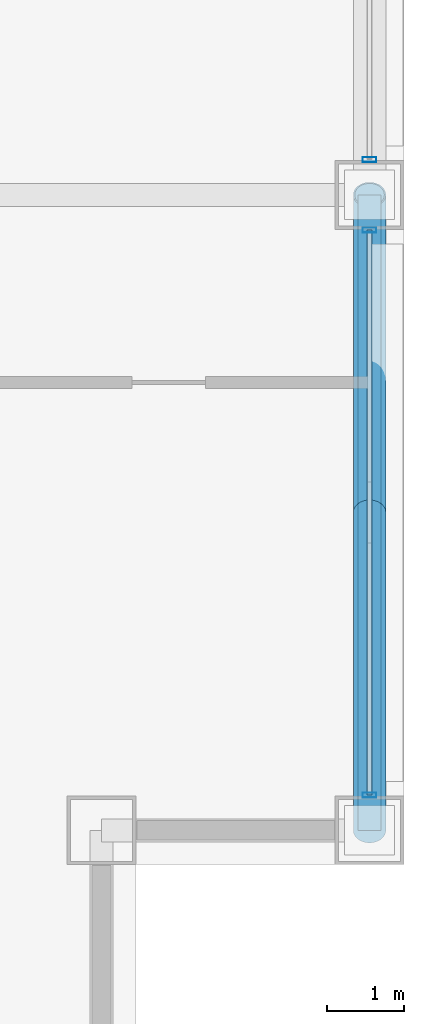
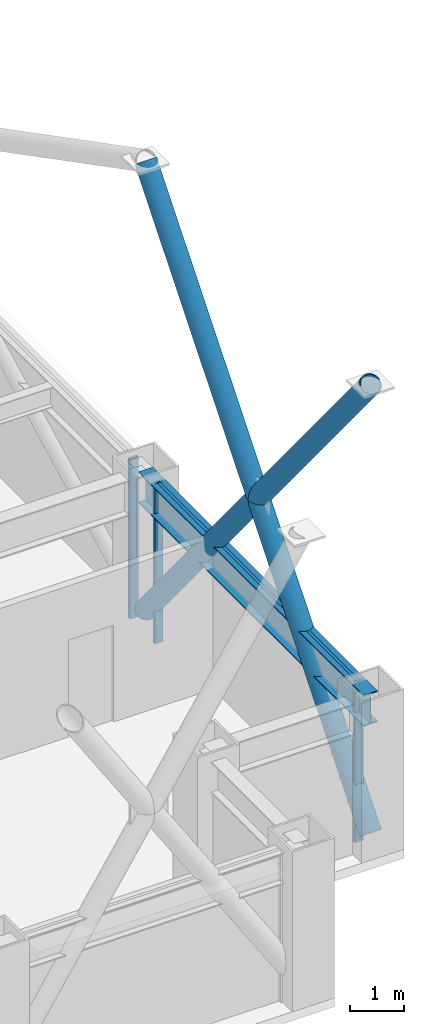
# One storey, part 12 of 29: 7 members, 1 beam, 2 elements without a shape of their own.
"""IFC4 building model written with IfcOpenShell, lengths in metres."""

from ifc_helpers import new_model, si_unit, direction, frame, origin, origin_2d, place, context, subcontext, project, spatial, hollow_rectangle, hollow_circle, i_section, extrude, material, layer, layer_set, material_profile, profile_set, type_object, element, aggregate, save


model = new_model("IFC4")

# Units and contexts
model_context = context("Model", 3, precision=1e-05, world=origin(), true_north=direction((0.0, 1.0)))
body_context = subcontext(model_context, "Body", "Model", "MODEL_VIEW")
ifc_project = project(units=[si_unit("LENGTHUNIT", "METRE"), si_unit("AREAUNIT", "SQUARE_METRE"), si_unit("VOLUMEUNIT", "CUBIC_METRE"), si_unit("PLANEANGLEUNIT", "RADIAN"), si_unit("MASSUNIT", "GRAM", prefix="KILO")], contexts=[model_context])

# Site, building, storey
site_placement = place(None, origin())
site = spatial("IfcSite", under=ifc_project, at=site_placement, CompositionType="ELEMENT")
building_placement = place(site_placement, origin())
building = spatial("IfcBuilding", under=site, at=building_placement, Name="Brelmoor Portico Tower", CompositionType="ELEMENT")
storey_placement = place(building_placement, frame((0.0, 0.0, 67.199951171875)))
storey = spatial("IfcBuildingStorey", under=building, at=storey_placement, Name="L17", CompositionType="ELEMENT", Elevation=67.199951171875)

# Beam
ifc_material_1 = material(Name="Steel Q355B", Category="steel")
ifc_material_profile_1 = material_profile(ifc_material_1, i_section(OverallWidth=0.300048828125, OverallDepth=0.699951171875, WebThickness=0.012939453125, FlangeThickness=0.02392578125, at=origin_2d()), Name="HN 700x300x13x24")
ifc_profile_set_1 = profile_set([ifc_material_profile_1], Name="Steel Q355B")
beam_type = type_object("IfcBeamType", Name="BM-SP-700", PredefinedType="SPANDREL", material=ifc_profile_set_1)
beam_placement = place(storey_placement, frame((24.550048828125, -18.050048828125, 3.050048828125), z_axis=(0.0, 1.0, 0.0), x_axis=(-1.0, 0.0, 0.0)))
element("IfcBeam", 1, at=beam_placement, inside=storey, type_object=beam_type, Name="L17 Perimeter Spandrel Beam SP-22", PredefinedType="SPANDREL", context=body_context, shape_type="SweptSolid", body=[
    extrude(i_section(OverallWidth=0.300048828125, OverallDepth=0.699951171875, WebThickness=0.012939453125, FlangeThickness=0.02392578125, at=origin_2d()), origin(), (0.0, 0.0, 1.0), 8.300048828125),
])

# Members
ifc_material_profile_2 = material_profile(ifc_material_1, hollow_circle(Radius=0.212890625, WallThickness=0.02001953125, at=origin_2d()), Name="CHS 426x20")
ifc_profile_set_2 = profile_set([ifc_material_profile_2], Name="Steel Q355B")
member_type_1 = type_object("IfcMemberType", Name="MB-BELT-DIAG1", PredefinedType="BRACE", material=ifc_profile_set_2)
member_1_placement = place(storey_placement, frame((24.550048828125, -18.050048828125, 0.25), z_axis=(0.0, 0.634901100083, 0.772593420315), x_axis=(-1.0, 0.0, 0.0)))
element("IfcMember", 2, at=member_1_placement, inside=storey, type_object=member_type_1, Name="L17 Continuous Mega-X Brace 040A", PredefinedType="BRACE", context=body_context, shape_type="SweptSolid", body=[
    extrude(hollow_circle(Radius=0.212890625, WallThickness=0.02001953125, at=origin_2d()), origin(), (0.0, 0.0, 1.0), 13.072998046875),
])
member_2_placement = place(storey_placement, frame((24.550048828125, -9.75, 0.25), z_axis=(0.0, -0.634889952641, 0.772602580914), x_axis=(1.0, 0.0, 0.0)))
element("IfcMember", 3, at=member_2_placement, inside=storey, type_object=member_type_1, Name="L17 Split Mega-X Brace 040B1", PredefinedType="BRACE", context=body_context, shape_type="SweptSolid", body=[
    extrude(hollow_circle(Radius=0.212890625, WallThickness=0.02001953125, at=origin_2d()), origin(), (0.0, 0.0, 1.0), 6.536376953125),
])
member_3_placement = place(storey_placement, frame((24.550048828125, -13.89990234375, 5.300048828125), z_axis=(0.0, -0.634912247128, 0.772584259771), x_axis=(1.0, 0.0, 0.0)))
element("IfcMember", 4, at=member_3_placement, inside=storey, type_object=member_type_1, Name="L17 Split Mega-X Brace 040B2", PredefinedType="BRACE", context=body_context, shape_type="SweptSolid", body=[
    extrude(hollow_circle(Radius=0.212890625, WallThickness=0.02001953125, at=origin_2d()), origin(), (0.0, 0.0, 1.0), 6.53662109375),
])

# Curtain wall, members
ifc_material_2 = material(Name="Anodised Aluminium Alloy 6063-T6", Category="aluminium")
ifc_layer = layer(ifc_material_2, 0.179931640625)
ifc_layer_set = layer_set([ifc_layer], Name="Anodised Aluminium Alloy 6063-T6")
curtain_wall_type = type_object("IfcCurtainWallType", Name="CW-TOWER-Z1-XB", PredefinedType="NOTDEFINED", material=ifc_layer_set)
curtain_wall_1_placement = place(storey_placement, origin())
curtain_wall_1 = element("IfcCurtainWall", 5, at=curtain_wall_1_placement, inside=storey, type_object=curtain_wall_type, Name="L17 Curtain Wall CW-L17-04-1", PredefinedType="NOTDEFINED")
ifc_material_profile_3 = material_profile(ifc_material_2, hollow_rectangle(XDim=0.06494140625, YDim=0.179931640625, WallThickness=0.00390625, at=origin_2d()), Name="ALU MULLION 65x180")
ifc_profile_set_3 = profile_set([ifc_material_profile_3], Name="Anodised Aluminium Alloy 6063-T6")
member_type_2 = type_object("IfcMemberType", Name="MB-CW-MULL-180", PredefinedType="MULLION", material=ifc_profile_set_3)
member_4_placement = place(storey_placement, frame((24.550048828125, -17.590087890625, -0.199951171875), z_axis=(0.0, 0.0, 1.0), x_axis=(0.0, 1.0, 0.0)))
member_4 = element("IfcMember", 6, at=member_4_placement, type_object=member_type_2, Name="CW-L17-04-1 Mullion 00", PredefinedType="MULLION", context=body_context, shape_type="SweptSolid", body=[
    extrude(hollow_rectangle(XDim=0.06494140625, YDim=0.179931640625, WallThickness=0.00390625, at=origin_2d()), origin(), (0.0, 0.0, 1.0), 3.60009765625),
])
member_5_placement = place(storey_placement, frame((24.550048828125, -10.2099609375, -0.199951171875), z_axis=(0.0, 0.0, 1.0), x_axis=(0.0, 1.0, 0.0)))
member_5 = element("IfcMember", 7, at=member_5_placement, type_object=member_type_2, Name="CW-L17-04-1 Mullion 01", PredefinedType="MULLION", context=body_context, shape_type="SweptSolid", body=[
    extrude(hollow_rectangle(XDim=0.06494140625, YDim=0.179931640625, WallThickness=0.00390625, at=origin_2d()), origin(), (0.0, 0.0, 1.0), 3.60009765625),
])

# Curtain wall, member
curtain_wall_2_placement = place(storey_placement, origin())
curtain_wall_2 = element("IfcCurtainWall", 8, at=curtain_wall_2_placement, inside=storey, type_object=curtain_wall_type, Name="L17 Curtain Wall CW-L17-04-2", PredefinedType="NOTDEFINED")
member_6_placement = place(storey_placement, frame((24.550048828125, -9.2900390625, -0.199951171875), z_axis=(0.0, 0.0, 1.0), x_axis=(0.0, 1.0, 0.0)))
member_6 = element("IfcMember", 9, at=member_6_placement, type_object=member_type_2, Name="CW-L17-04-2 Mullion 00", PredefinedType="MULLION", context=body_context, shape_type="SweptSolid", body=[
    extrude(hollow_rectangle(XDim=0.06494140625, YDim=0.179931640625, WallThickness=0.00390625, at=origin_2d()), origin(), (0.0, 0.0, 1.0), 3.60009765625),
])
aggregate(curtain_wall_2, [member_6])

# Member
ifc_material_profile_4 = material_profile(ifc_material_2, hollow_rectangle(XDim=0.06494140625, YDim=0.139892578125, WallThickness=0.00390625, at=origin_2d()), Name="ALU TRANSOM 65x140")
ifc_profile_set_4 = profile_set([ifc_material_profile_4], Name="Anodised Aluminium Alloy 6063-T6")
member_type_3 = type_object("IfcMemberType", Name="MB-CW-TRAN-140", PredefinedType="USERDEFINED", material=ifc_profile_set_4)
member_7_placement = place(storey_placement, frame((24.550048828125, -17.590087890625, 3.330078125), z_axis=(0.0, 1.0, 0.0), x_axis=(-1.0, 0.0, 0.0)))
member_7 = element("IfcMember", 10, at=member_7_placement, type_object=member_type_3, Name="CW-L17-04-1 Transom 1-00", ObjectType="TRANSOM", PredefinedType="USERDEFINED", context=body_context, shape_type="SweptSolid", body=[
    extrude(hollow_rectangle(XDim=0.06494140625, YDim=0.139892578125, WallThickness=0.00390625, at=origin_2d()), origin(), (0.0, 0.0, 1.0), 7.380126953125),
])

aggregate(curtain_wall_1, [member_4, member_5, member_7])

save(model, "model.ifc")
